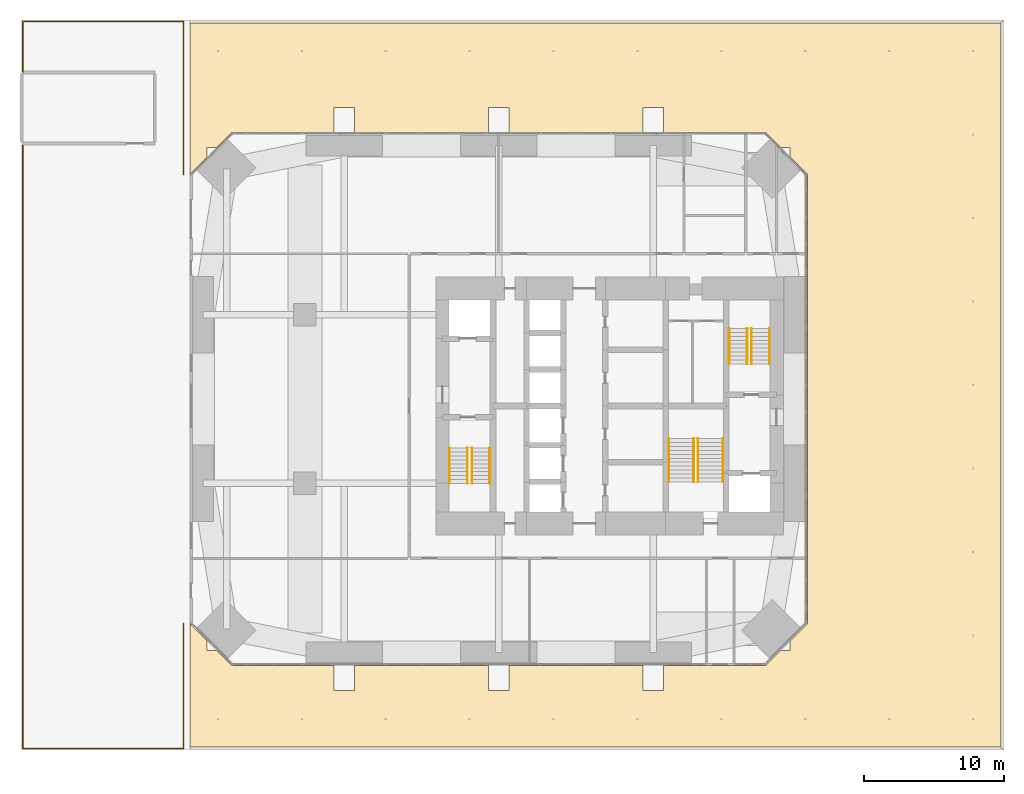
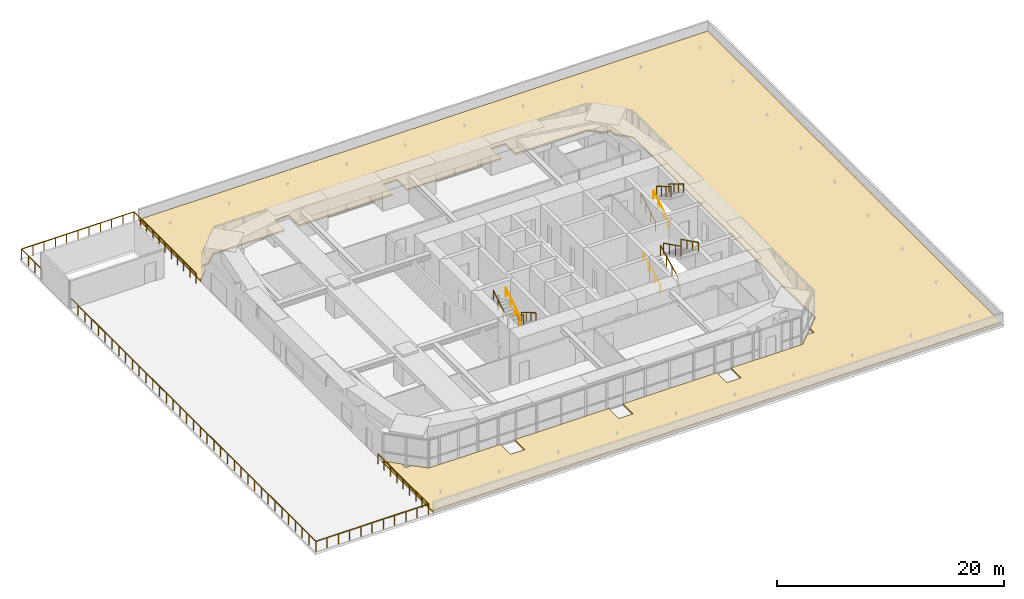
# One storey, part 20 of 20: 14 railings, 1 covering.
"""IFC4 building model written with IfcOpenShell, lengths in metres."""

from ifc_helpers import new_model, si_unit, direction, frame, origin, origin_2d, place, context, subcontext, project, spatial, polyline, rectangle, circle, outline, extrude, material, layer, layer_set, constituent, constituent_set, type_object, element, save


model = new_model("IFC4")

# Units and contexts
model_context = context("Model", 3, precision=1e-05, world=origin(), true_north=direction((0.0, 1.0)))
body_context = subcontext(model_context, "Body", "Model", "MODEL_VIEW")
ifc_project = project(units=[si_unit("LENGTHUNIT", "METRE"), si_unit("AREAUNIT", "SQUARE_METRE"), si_unit("VOLUMEUNIT", "CUBIC_METRE"), si_unit("PLANEANGLEUNIT", "RADIAN"), si_unit("MASSUNIT", "GRAM", prefix="KILO")], contexts=[model_context])

# Site, building, storey
site_placement = place(None, origin())
site = spatial("IfcSite", under=ifc_project, at=site_placement, CompositionType="ELEMENT")
building_placement = place(site_placement, origin())
building = spatial("IfcBuilding", under=site, at=building_placement, Name="Jalousie Tower", CompositionType="ELEMENT")
storey_placement = place(building_placement, frame((0.0, 0.0, 21.0)))
storey = spatial("IfcBuildingStorey", under=building, at=storey_placement, Name="L04", CompositionType="ELEMENT", Elevation=21.0)

# Covering
ifc_material_1 = material(Name="Growing medium on drainage and root-barrier layers", Category="soil")
ifc_layer = layer(ifc_material_1, 0.169921875)
ifc_layer_set = layer_set([ifc_layer], Name="Growing medium on drainage and root-barrier layers")
covering_type = type_object("IfcCoveringType", Name="PLANTED ROOF BUILD-UP 170", PredefinedType="ROOFING", material=ifc_layer_set)
covering_placement = place(storey_placement, origin())
element("IfcCovering", 1, at=covering_placement, inside=storey, type_object=covering_type, Name="Podium planted roof build-up", PredefinedType="ROOFING", context=body_context, shape_type="SweptSolid", body=[
    extrude(outline(polyline([(2.0, 3.0), (3.2314453125, 1.7685546875), (3.2314453125, 1.081298828125), (3.918701171875, 1.081298828125), (5.0, 0.0), (12.27490234375, 0.0), (12.27490234375, -1.77490234375), (13.72509765625, -1.77490234375), (13.72509765625, 0.0), (23.27490234375, 0.0), (23.27490234375, -1.77490234375), (24.72509765625, -1.77490234375), (24.72509765625, 0.0), (34.27490234375, 0.0), (34.27490234375, -1.77490234375), (35.72509765625, -1.77490234375), (35.72509765625, 0.0), (43.0, 0.0), (44.081298828125, 1.081298828125), (44.7685546875, 1.081298828125), (44.7685546875, 1.7685546875), (46.0, 3.0), (46.0, 35.0), (44.7685546875, 36.2314453125), (44.7685546875, 36.918701171875), (44.081298828125, 36.918701171875), (43.0, 38.0), (35.72509765625, 38.0), (35.72509765625, 39.77490234375), (34.27490234375, 39.77490234375), (34.27490234375, 38.0), (24.72509765625, 38.0), (24.72509765625, 39.77490234375), (23.27490234375, 39.77490234375), (23.27490234375, 38.0), (13.72509765625, 38.0), (13.72509765625, 39.77490234375), (12.27490234375, 39.77490234375), (12.27490234375, 38.0), (5.0, 38.0), (3.918701171875, 36.918701171875), (3.2314453125, 36.918701171875), (3.2314453125, 36.2314453125), (2.0, 35.0), (2.0, 45.800048828125), (59.800048828125, 45.800048828125), (59.800048828125, -5.800048828125), (2.0, -5.800048828125), (2.0, 3.0)])), origin(), (0.0, 0.0, 1.0), 0.169921875),
])

# Railings
ifc_material_2 = material(Name="Steel ASTM A500 Grade C", Category="steel")
ifc_constituent_1 = constituent(ifc_material_2, Name="Body")
ifc_material_3 = material(Name="Hot-dip galvanised zinc coating")
ifc_constituent_2 = constituent(ifc_material_3, Name="Finish")
ifc_constituent_set_1 = constituent_set(constituents=[ifc_constituent_1, ifc_constituent_2])
railing_type_1 = type_object("IfcRailingType", Name="STAIR GUARD 1100", PredefinedType="GUARDRAIL", material=ifc_constituent_set_1)
railing_1_placement = place(storey_placement, frame((22.092529296875, 15.49755859375, 0.16748046875)))
element("IfcRailing", 2, at=railing_1_placement, inside=storey, type_object=railing_type_1, Name="Exit stair A guard L04 flight 1", PredefinedType="GUARDRAIL", context=body_context, shape_type="SweptSolid", body=[
    extrude(rectangle(XDim=0.048095703125, YDim=0.048095703125, at=origin_2d()), frame((0.0, 0.0, 1.076171875), z_axis=(0.0, -0.858159760407, 0.513382728203), x_axis=(1.0, 0.0, 0.0)), (0.0, 0.0, 1.0), 2.9365234375),
    extrude(circle(Radius=0.02099609375, at=origin_2d()), origin(), (0.0, 0.0, 1.0), 1.052001953125),
    extrude(circle(Radius=0.02099609375, at=origin_2d()), frame((0.0, -0.840087890625, 0.50244140625)), (0.0, 0.0, 1.0), 1.052001953125),
    extrude(circle(Radius=0.02099609375, at=origin_2d()), frame((0.0, -1.679931640625, 1.005126953125)), (0.0, 0.0, 1.0), 1.052001953125),
    extrude(circle(Radius=0.02099609375, at=origin_2d()), frame((0.0, -2.52001953125, 1.507568359375)), (0.0, 0.0, 1.0), 1.052001953125),
])
for number, where, name in (
    (3, (20.5048828125, 12.9775390625, 1.842529296875), "Exit stair A guard L04 flight 2"),
    (4, (40.43017578125, 21.50244140625, 0.16748046875), "Exit stair B guard L04 flight 1"),
):
    element("IfcRailing", number, at=place(storey_placement, frame(where)), inside=storey, type_object=railing_type_1, Name=name, PredefinedType="GUARDRAIL", context=body_context, shape_type="SweptSolid", body=[
        extrude(rectangle(XDim=0.048095703125, YDim=0.048095703125, at=origin_2d()), frame((0.0, 0.0, 1.076171875), z_axis=(0.0, 0.858159760407, 0.513382728203), x_axis=(-1.0, 0.0, 0.0)), (0.0, 0.0, 1.0), 2.9365234375),
        extrude(circle(Radius=0.02099609375, at=origin_2d()), origin(), (0.0, 0.0, 1.0), 1.052001953125),
        extrude(circle(Radius=0.02099609375, at=origin_2d()), frame((0.0, 0.840087890625, 0.50244140625)), (0.0, 0.0, 1.0), 1.052001953125),
        extrude(circle(Radius=0.02099609375, at=origin_2d()), frame((0.0, 1.679931640625, 1.005126953125)), (0.0, 0.0, 1.0), 1.052001953125),
        extrude(circle(Radius=0.02099609375, at=origin_2d()), frame((0.0, 2.52001953125, 1.507568359375)), (0.0, 0.0, 1.0), 1.052001953125),
    ])
railing_2_placement = place(storey_placement, frame((42.017578125, 24.0224609375, 1.842529296875)))
element("IfcRailing", 5, at=railing_2_placement, inside=storey, type_object=railing_type_1, Name="Exit stair B guard L04 flight 2", PredefinedType="GUARDRAIL", context=body_context, shape_type="SweptSolid", body=[
    extrude(rectangle(XDim=0.048095703125, YDim=0.048095703125, at=origin_2d()), frame((0.0, 0.0, 1.076171875), z_axis=(0.0, -0.858159760407, 0.513382728203), x_axis=(1.0, 0.0, 0.0)), (0.0, 0.0, 1.0), 2.9365234375),
    extrude(circle(Radius=0.02099609375, at=origin_2d()), origin(), (0.0, 0.0, 1.0), 1.052001953125),
    extrude(circle(Radius=0.02099609375, at=origin_2d()), frame((0.0, -0.840087890625, 0.50244140625)), (0.0, 0.0, 1.0), 1.052001953125),
    extrude(circle(Radius=0.02099609375, at=origin_2d()), frame((0.0, -1.679931640625, 1.005126953125)), (0.0, 0.0, 1.0), 1.052001953125),
    extrude(circle(Radius=0.02099609375, at=origin_2d()), frame((0.0, -2.52001953125, 1.507568359375)), (0.0, 0.0, 1.0), 1.052001953125),
])
railing_3_placement = place(storey_placement, frame((37.89501953125, 13.097412109375, 0.1396484375)))
element("IfcRailing", 6, at=railing_3_placement, inside=storey, type_object=railing_type_1, Name="Exit stair C guard L04 flight 1", PredefinedType="GUARDRAIL", context=body_context, shape_type="SweptSolid", body=[
    extrude(rectangle(XDim=0.048095703125, YDim=0.048095703125, at=origin_2d()), frame((0.0, 0.0, 1.076171875), z_axis=(0.0, 0.894965676997, 0.446134998624), x_axis=(-1.0, 0.0, 0.0)), (0.0, 0.0, 1.0), 3.441650390625),
    extrude(circle(Radius=0.02099609375, at=origin_2d()), origin(), (0.0, 0.0, 1.0), 1.052001953125),
    extrude(circle(Radius=0.02099609375, at=origin_2d()), frame((0.0, 1.026611328125, 0.51171875)), (0.0, 0.0, 1.0), 1.052001953125),
    extrude(circle(Radius=0.02099609375, at=origin_2d()), frame((0.0, 2.053466796875, 1.023681640625)), (0.0, 0.0, 1.0), 1.052001953125),
    extrude(circle(Radius=0.02099609375, at=origin_2d()), frame((0.0, 3.080078125, 1.535400390625)), (0.0, 0.0, 1.0), 1.052001953125),
])
railing_4_placement = place(storey_placement, frame((38.205078125, 16.177490234375, 1.814697265625)))
element("IfcRailing", 7, at=railing_4_placement, inside=storey, type_object=railing_type_1, Name="Exit stair C guard L04 flight 2", PredefinedType="GUARDRAIL", context=body_context, shape_type="SweptSolid", body=[
    extrude(rectangle(XDim=0.048095703125, YDim=0.048095703125, at=origin_2d()), frame((0.0, 0.0, 1.076171875), z_axis=(0.0, -0.894965676997, 0.446134998624), x_axis=(1.0, 0.0, 0.0)), (0.0, 0.0, 1.0), 3.441650390625),
    extrude(circle(Radius=0.02099609375, at=origin_2d()), origin(), (0.0, 0.0, 1.0), 1.052001953125),
    extrude(circle(Radius=0.02099609375, at=origin_2d()), frame((0.0, -1.026611328125, 0.51171875)), (0.0, 0.0, 1.0), 1.052001953125),
    extrude(circle(Radius=0.02099609375, at=origin_2d()), frame((0.0, -2.053466796875, 1.023681640625)), (0.0, 0.0, 1.0), 1.052001953125),
    extrude(circle(Radius=0.02099609375, at=origin_2d()), frame((0.0, -3.080078125, 1.535400390625)), (0.0, 0.0, 1.0), 1.052001953125),
])
ifc_material_4 = material(Name="Steel ASTM A500 Grade C", Category="steel")
ifc_constituent_3 = constituent(ifc_material_4, Name="Body")
ifc_material_5 = material(Name="Hot-dip galvanised zinc coating")
ifc_constituent_4 = constituent(ifc_material_5, Name="Finish")
ifc_constituent_set_2 = constituent_set(constituents=[ifc_constituent_3, ifc_constituent_4])
railing_type_2 = type_object("IfcRailingType", Name="STAIR HANDRAIL 900", PredefinedType="HANDRAIL", material=ifc_constituent_set_2)
railing_5_placement = place(storey_placement, frame((23.3701171875, 15.49755859375, 0.16748046875)))
element("IfcRailing", 8, at=railing_5_placement, inside=storey, type_object=railing_type_2, Name="Exit stair A handrail L04 flight 1", PredefinedType="HANDRAIL", context=body_context, shape_type="SweptSolid", body=[
    extrude(circle(Radius=0.02392578125, at=origin_2d()), frame((0.0, 0.0, 0.8759765625), z_axis=(0.0, -0.858159760407, 0.513382728203), x_axis=(1.0, 0.0, 0.0)), (0.0, 0.0, 1.0), 2.9365234375),
    extrude(circle(Radius=0.02099609375, at=origin_2d()), origin(), (0.0, 0.0, 1.0), 0.851806640625),
    extrude(circle(Radius=0.02099609375, at=origin_2d()), frame((0.0, -0.840087890625, 0.50244140625)), (0.0, 0.0, 1.0), 0.851806640625),
    extrude(circle(Radius=0.02099609375, at=origin_2d()), frame((0.0, -1.679931640625, 1.005126953125)), (0.0, 0.0, 1.0), 0.851806640625),
    extrude(circle(Radius=0.02099609375, at=origin_2d()), frame((0.0, -2.52001953125, 1.507568359375)), (0.0, 0.0, 1.0), 0.851806640625),
])
for number, where, name in (
    (9, (21.78271484375, 12.9775390625, 1.842529296875), "Exit stair A handrail L04 flight 2"),
    (10, (41.70751953125, 21.50244140625, 0.16748046875), "Exit stair B handrail L04 flight 1"),
):
    element("IfcRailing", number, at=place(storey_placement, frame(where)), inside=storey, type_object=railing_type_2, Name=name, PredefinedType="HANDRAIL", context=body_context, shape_type="SweptSolid", body=[
        extrude(circle(Radius=0.02392578125, at=origin_2d()), frame((0.0, 0.0, 0.8759765625), z_axis=(0.0, 0.858159760407, 0.513382728203), x_axis=(-1.0, 0.0, 0.0)), (0.0, 0.0, 1.0), 2.9365234375),
        extrude(circle(Radius=0.02099609375, at=origin_2d()), origin(), (0.0, 0.0, 1.0), 0.851806640625),
        extrude(circle(Radius=0.02099609375, at=origin_2d()), frame((0.0, 0.840087890625, 0.50244140625)), (0.0, 0.0, 1.0), 0.851806640625),
        extrude(circle(Radius=0.02099609375, at=origin_2d()), frame((0.0, 1.679931640625, 1.005126953125)), (0.0, 0.0, 1.0), 0.851806640625),
        extrude(circle(Radius=0.02099609375, at=origin_2d()), frame((0.0, 2.52001953125, 1.507568359375)), (0.0, 0.0, 1.0), 0.851806640625),
    ])
railing_6_placement = place(storey_placement, frame((43.294921875, 24.0224609375, 1.842529296875)))
element("IfcRailing", 11, at=railing_6_placement, inside=storey, type_object=railing_type_2, Name="Exit stair B handrail L04 flight 2", PredefinedType="HANDRAIL", context=body_context, shape_type="SweptSolid", body=[
    extrude(circle(Radius=0.02392578125, at=origin_2d()), frame((0.0, 0.0, 0.8759765625), z_axis=(0.0, -0.858159760407, 0.513382728203), x_axis=(1.0, 0.0, 0.0)), (0.0, 0.0, 1.0), 2.9365234375),
    extrude(circle(Radius=0.02099609375, at=origin_2d()), origin(), (0.0, 0.0, 1.0), 0.851806640625),
    extrude(circle(Radius=0.02099609375, at=origin_2d()), frame((0.0, -0.840087890625, 0.50244140625)), (0.0, 0.0, 1.0), 0.851806640625),
    extrude(circle(Radius=0.02099609375, at=origin_2d()), frame((0.0, -1.679931640625, 1.005126953125)), (0.0, 0.0, 1.0), 0.851806640625),
    extrude(circle(Radius=0.02099609375, at=origin_2d()), frame((0.0, -2.52001953125, 1.507568359375)), (0.0, 0.0, 1.0), 0.851806640625),
])
railing_7_placement = place(storey_placement, frame((36.1298828125, 13.097412109375, 0.1396484375)))
element("IfcRailing", 12, at=railing_7_placement, inside=storey, type_object=railing_type_2, Name="Exit stair C handrail L04 flight 1", PredefinedType="HANDRAIL", context=body_context, shape_type="SweptSolid", body=[
    extrude(circle(Radius=0.02392578125, at=origin_2d()), frame((0.0, 0.0, 0.8759765625), z_axis=(0.0, 0.894965676997, 0.446134998624), x_axis=(-1.0, 0.0, 0.0)), (0.0, 0.0, 1.0), 3.441650390625),
    extrude(circle(Radius=0.02099609375, at=origin_2d()), origin(), (0.0, 0.0, 1.0), 0.851806640625),
    extrude(circle(Radius=0.02099609375, at=origin_2d()), frame((0.0, 1.026611328125, 0.51171875)), (0.0, 0.0, 1.0), 0.851806640625),
    extrude(circle(Radius=0.02099609375, at=origin_2d()), frame((0.0, 2.053466796875, 1.023681640625)), (0.0, 0.0, 1.0), 0.851806640625),
    extrude(circle(Radius=0.02099609375, at=origin_2d()), frame((0.0, 3.080078125, 1.535400390625)), (0.0, 0.0, 1.0), 0.851806640625),
])
railing_8_placement = place(storey_placement, frame((39.969970703125, 16.177490234375, 1.814697265625)))
element("IfcRailing", 13, at=railing_8_placement, inside=storey, type_object=railing_type_2, Name="Exit stair C handrail L04 flight 2", PredefinedType="HANDRAIL", context=body_context, shape_type="SweptSolid", body=[
    extrude(circle(Radius=0.02392578125, at=origin_2d()), frame((0.0, 0.0, 0.8759765625), z_axis=(0.0, -0.894965676997, 0.446134998624), x_axis=(1.0, 0.0, 0.0)), (0.0, 0.0, 1.0), 3.441650390625),
    extrude(circle(Radius=0.02099609375, at=origin_2d()), origin(), (0.0, 0.0, 1.0), 0.851806640625),
    extrude(circle(Radius=0.02099609375, at=origin_2d()), frame((0.0, -1.026611328125, 0.51171875)), (0.0, 0.0, 1.0), 0.851806640625),
    extrude(circle(Radius=0.02099609375, at=origin_2d()), frame((0.0, -2.053466796875, 1.023681640625)), (0.0, 0.0, 1.0), 0.851806640625),
    extrude(circle(Radius=0.02099609375, at=origin_2d()), frame((0.0, -3.080078125, 1.535400390625)), (0.0, 0.0, 1.0), 0.851806640625),
])
ifc_material_6 = material(Name="Stainless steel AISI 316", Category="steel")
ifc_constituent_5 = constituent(ifc_material_6, Name="Body")
ifc_material_7 = material(Name="Laminated impact-rated glass", Category="glass")
ifc_constituent_6 = constituent(ifc_material_7, Name="Infill")
ifc_constituent_set_3 = constituent_set(constituents=[ifc_constituent_5, ifc_constituent_6])
railing_type_3 = type_object("IfcRailingType", Name="TERRACE GUARDRAIL 1100", PredefinedType="GUARDRAIL", material=ifc_constituent_set_3)
railing_9_placement = place(storey_placement, frame((1.550048828125, 3.0, 0.0)))
element("IfcRailing", 14, at=railing_9_placement, inside=storey, type_object=railing_type_3, Name="Podium roof terrace guard S", PredefinedType="GUARDRAIL", context=body_context, shape_type="SweptSolid", body=[
    extrude(rectangle(XDim=0.048095703125, YDim=0.048095703125, at=origin_2d()), frame((0.0, 0.0, 1.076171875), z_axis=(0.0, -1.0, 0.0), x_axis=(1.0, 0.0, 0.0)), (0.0, 0.0, 1.0), 8.89990234375),
    extrude(rectangle(XDim=0.048095703125, YDim=0.048095703125, at=origin_2d()), frame((0.0, -8.89990234375, 1.076171875), z_axis=(-1.0, 0.0, 0.0), x_axis=(0.0, -1.0, 0.0)), (0.0, 0.0, 1.0), 11.449951171875),
    extrude(rectangle(XDim=0.048095703125, YDim=0.048095703125, at=origin_2d()), frame((-11.449951171875, -8.89990234375, 1.076171875), z_axis=(0.0, 1.0, 0.0), x_axis=(-1.0, 0.0, 0.0)), (0.0, 0.0, 1.0), 43.0498046875),
    extrude(circle(Radius=0.02099609375, at=origin_2d()), origin(), (0.0, 0.0, 1.0), 1.052001953125),
    extrude(circle(Radius=0.02099609375, at=origin_2d()), frame((0.0, -1.112548828125, 0.0)), (0.0, 0.0, 1.0), 1.052001953125),
    extrude(circle(Radius=0.02099609375, at=origin_2d()), frame((0.0, -2.22509765625, 0.0)), (0.0, 0.0, 1.0), 1.052001953125),
    extrude(circle(Radius=0.02099609375, at=origin_2d()), frame((0.0, -3.33740234375, 0.0)), (0.0, 0.0, 1.0), 1.052001953125),
    extrude(circle(Radius=0.02099609375, at=origin_2d()), frame((0.0, -4.449951171875, 0.0)), (0.0, 0.0, 1.0), 1.052001953125),
    extrude(circle(Radius=0.02099609375, at=origin_2d()), frame((0.0, -5.5625, 0.0)), (0.0, 0.0, 1.0), 1.052001953125),
    extrude(circle(Radius=0.02099609375, at=origin_2d()), frame((0.0, -6.6748046875, 0.0)), (0.0, 0.0, 1.0), 1.052001953125),
    extrude(circle(Radius=0.02099609375, at=origin_2d()), frame((0.0, -7.787353515625, 0.0)), (0.0, 0.0, 1.0), 1.052001953125),
    extrude(circle(Radius=0.02099609375, at=origin_2d()), frame((0.0, -8.89990234375, 0.0)), (0.0, 0.0, 1.0), 1.052001953125),
    extrude(circle(Radius=0.02099609375, at=origin_2d()), frame((-1.14501953125, -8.89990234375, 0.0)), (0.0, 0.0, 1.0), 1.052001953125),
    extrude(circle(Radius=0.02099609375, at=origin_2d()), frame((-2.2900390625, -8.89990234375, 0.0)), (0.0, 0.0, 1.0), 1.052001953125),
    extrude(circle(Radius=0.02099609375, at=origin_2d()), frame((-3.43505859375, -8.89990234375, 0.0)), (0.0, 0.0, 1.0), 1.052001953125),
    extrude(circle(Radius=0.02099609375, at=origin_2d()), frame((-4.580078125, -8.89990234375, 0.0)), (0.0, 0.0, 1.0), 1.052001953125),
    extrude(circle(Radius=0.02099609375, at=origin_2d()), frame((-5.72509765625, -8.89990234375, 0.0)), (0.0, 0.0, 1.0), 1.052001953125),
    extrude(circle(Radius=0.02099609375, at=origin_2d()), frame((-6.869873046875, -8.89990234375, 0.0)), (0.0, 0.0, 1.0), 1.052001953125),
    extrude(circle(Radius=0.02099609375, at=origin_2d()), frame((-8.014892578125, -8.89990234375, 0.0)), (0.0, 0.0, 1.0), 1.052001953125),
    extrude(circle(Radius=0.02099609375, at=origin_2d()), frame((-9.159912109375, -8.89990234375, 0.0)), (0.0, 0.0, 1.0), 1.052001953125),
    extrude(circle(Radius=0.02099609375, at=origin_2d()), frame((-10.304931640625, -8.89990234375, 0.0)), (0.0, 0.0, 1.0), 1.052001953125),
    extrude(circle(Radius=0.02099609375, at=origin_2d()), frame((-11.449951171875, -8.89990234375, 0.0)), (0.0, 0.0, 1.0), 1.052001953125),
    extrude(circle(Radius=0.02099609375, at=origin_2d()), frame((-11.449951171875, -7.7041015625, 0.0)), (0.0, 0.0, 1.0), 1.052001953125),
    extrude(circle(Radius=0.02099609375, at=origin_2d()), frame((-11.449951171875, -6.50830078125, 0.0)), (0.0, 0.0, 1.0), 1.052001953125),
    extrude(circle(Radius=0.02099609375, at=origin_2d()), frame((-11.449951171875, -5.3125, 0.0)), (0.0, 0.0, 1.0), 1.052001953125),
    extrude(circle(Radius=0.02099609375, at=origin_2d()), frame((-11.449951171875, -4.11669921875, 0.0)), (0.0, 0.0, 1.0), 1.052001953125),
    extrude(circle(Radius=0.02099609375, at=origin_2d()), frame((-11.449951171875, -2.920654296875, 0.0)), (0.0, 0.0, 1.0), 1.052001953125),
    extrude(circle(Radius=0.02099609375, at=origin_2d()), frame((-11.449951171875, -1.724853515625, 0.0)), (0.0, 0.0, 1.0), 1.052001953125),
    extrude(circle(Radius=0.02099609375, at=origin_2d()), frame((-11.449951171875, -0.529052734375, 0.0)), (0.0, 0.0, 1.0), 1.052001953125),
    extrude(circle(Radius=0.02099609375, at=origin_2d()), frame((-11.449951171875, 0.666748046875, 0.0)), (0.0, 0.0, 1.0), 1.052001953125),
    extrude(circle(Radius=0.02099609375, at=origin_2d()), frame((-11.449951171875, 1.862548828125, 0.0)), (0.0, 0.0, 1.0), 1.052001953125),
    extrude(circle(Radius=0.02099609375, at=origin_2d()), frame((-11.449951171875, 3.058349609375, 0.0)), (0.0, 0.0, 1.0), 1.052001953125),
    extrude(circle(Radius=0.02099609375, at=origin_2d()), frame((-11.449951171875, 4.254150390625, 0.0)), (0.0, 0.0, 1.0), 1.052001953125),
    extrude(circle(Radius=0.02099609375, at=origin_2d()), frame((-11.449951171875, 5.449951171875, 0.0)), (0.0, 0.0, 1.0), 1.052001953125),
    extrude(circle(Radius=0.02099609375, at=origin_2d()), frame((-11.449951171875, 6.645751953125, 0.0)), (0.0, 0.0, 1.0), 1.052001953125),
    extrude(circle(Radius=0.02099609375, at=origin_2d()), frame((-11.449951171875, 7.841796875, 0.0)), (0.0, 0.0, 1.0), 1.052001953125),
    extrude(circle(Radius=0.02099609375, at=origin_2d()), frame((-11.449951171875, 9.03759765625, 0.0)), (0.0, 0.0, 1.0), 1.052001953125),
    extrude(circle(Radius=0.02099609375, at=origin_2d()), frame((-11.449951171875, 10.2333984375, 0.0)), (0.0, 0.0, 1.0), 1.052001953125),
    extrude(circle(Radius=0.02099609375, at=origin_2d()), frame((-11.449951171875, 11.42919921875, 0.0)), (0.0, 0.0, 1.0), 1.052001953125),
    extrude(circle(Radius=0.02099609375, at=origin_2d()), frame((-11.449951171875, 12.625, 0.0)), (0.0, 0.0, 1.0), 1.052001953125),
    extrude(circle(Radius=0.02099609375, at=origin_2d()), frame((-11.449951171875, 13.82080078125, 0.0)), (0.0, 0.0, 1.0), 1.052001953125),
    extrude(circle(Radius=0.02099609375, at=origin_2d()), frame((-11.449951171875, 15.0166015625, 0.0)), (0.0, 0.0, 1.0), 1.052001953125),
    extrude(circle(Radius=0.02099609375, at=origin_2d()), frame((-11.449951171875, 16.21240234375, 0.0)), (0.0, 0.0, 1.0), 1.052001953125),
    extrude(circle(Radius=0.02099609375, at=origin_2d()), frame((-11.449951171875, 17.408203125, 0.0)), (0.0, 0.0, 1.0), 1.052001953125),
    extrude(circle(Radius=0.02099609375, at=origin_2d()), frame((-11.449951171875, 18.604248046875, 0.0)), (0.0, 0.0, 1.0), 1.052001953125),
    extrude(circle(Radius=0.02099609375, at=origin_2d()), frame((-11.449951171875, 19.800048828125, 0.0)), (0.0, 0.0, 1.0), 1.052001953125),
    extrude(circle(Radius=0.02099609375, at=origin_2d()), frame((-11.449951171875, 20.995849609375, 0.0)), (0.0, 0.0, 1.0), 1.052001953125),
    extrude(circle(Radius=0.02099609375, at=origin_2d()), frame((-11.449951171875, 22.191650390625, 0.0)), (0.0, 0.0, 1.0), 1.052001953125),
    extrude(circle(Radius=0.02099609375, at=origin_2d()), frame((-11.449951171875, 23.387451171875, 0.0)), (0.0, 0.0, 1.0), 1.052001953125),
    extrude(circle(Radius=0.02099609375, at=origin_2d()), frame((-11.449951171875, 24.583251953125, 0.0)), (0.0, 0.0, 1.0), 1.052001953125),
    extrude(circle(Radius=0.02099609375, at=origin_2d()), frame((-11.449951171875, 25.779052734375, 0.0)), (0.0, 0.0, 1.0), 1.052001953125),
    extrude(circle(Radius=0.02099609375, at=origin_2d()), frame((-11.449951171875, 26.974853515625, 0.0)), (0.0, 0.0, 1.0), 1.052001953125),
    extrude(circle(Radius=0.02099609375, at=origin_2d()), frame((-11.449951171875, 28.170654296875, 0.0)), (0.0, 0.0, 1.0), 1.052001953125),
    extrude(circle(Radius=0.02099609375, at=origin_2d()), frame((-11.449951171875, 29.36669921875, 0.0)), (0.0, 0.0, 1.0), 1.052001953125),
    extrude(circle(Radius=0.02099609375, at=origin_2d()), frame((-11.449951171875, 30.5625, 0.0)), (0.0, 0.0, 1.0), 1.052001953125),
    extrude(circle(Radius=0.02099609375, at=origin_2d()), frame((-11.449951171875, 31.75830078125, 0.0)), (0.0, 0.0, 1.0), 1.052001953125),
    extrude(circle(Radius=0.02099609375, at=origin_2d()), frame((-11.449951171875, 32.9541015625, 0.0)), (0.0, 0.0, 1.0), 1.052001953125),
    extrude(circle(Radius=0.02099609375, at=origin_2d()), frame((-11.449951171875, 34.14990234375, 0.0)), (0.0, 0.0, 1.0), 1.052001953125),
])
railing_10_placement = place(storey_placement, frame((-9.89990234375, 42.300048828125, 0.0)))
element("IfcRailing", 15, at=railing_10_placement, inside=storey, type_object=railing_type_3, Name="Podium roof terrace guard N", PredefinedType="GUARDRAIL", context=body_context, shape_type="SweptSolid", body=[
    extrude(rectangle(XDim=0.048095703125, YDim=0.048095703125, at=origin_2d()), frame((0.0, 0.0, 1.076171875), z_axis=(0.0, 1.0, 0.0), x_axis=(-1.0, 0.0, 0.0)), (0.0, 0.0, 1.0), 3.599853515625),
    extrude(rectangle(XDim=0.048095703125, YDim=0.048095703125, at=origin_2d()), frame((0.0, 3.599853515625, 1.076171875), z_axis=(1.0, 0.0, 0.0), x_axis=(0.0, 1.0, 0.0)), (0.0, 0.0, 1.0), 11.449951171875),
    extrude(rectangle(XDim=0.048095703125, YDim=0.048095703125, at=origin_2d()), frame((11.449951171875, 3.599853515625, 1.076171875), z_axis=(0.0, -1.0, 0.0), x_axis=(1.0, 0.0, 0.0)), (0.0, 0.0, 1.0), 10.89990234375),
    extrude(circle(Radius=0.02099609375, at=origin_2d()), origin(), (0.0, 0.0, 1.0), 1.052001953125),
    extrude(circle(Radius=0.02099609375, at=origin_2d()), frame((0.0, 1.199951171875, 0.0)), (0.0, 0.0, 1.0), 1.052001953125),
    extrude(circle(Radius=0.02099609375, at=origin_2d()), frame((0.0, 2.39990234375, 0.0)), (0.0, 0.0, 1.0), 1.052001953125),
    extrude(circle(Radius=0.02099609375, at=origin_2d()), frame((0.0, 3.599853515625, 0.0)), (0.0, 0.0, 1.0), 1.052001953125),
    extrude(circle(Radius=0.02099609375, at=origin_2d()), frame((1.14501953125, 3.599853515625, 0.0)), (0.0, 0.0, 1.0), 1.052001953125),
    extrude(circle(Radius=0.02099609375, at=origin_2d()), frame((2.2900390625, 3.599853515625, 0.0)), (0.0, 0.0, 1.0), 1.052001953125),
    extrude(circle(Radius=0.02099609375, at=origin_2d()), frame((3.43505859375, 3.599853515625, 0.0)), (0.0, 0.0, 1.0), 1.052001953125),
    extrude(circle(Radius=0.02099609375, at=origin_2d()), frame((4.580078125, 3.599853515625, 0.0)), (0.0, 0.0, 1.0), 1.052001953125),
    extrude(circle(Radius=0.02099609375, at=origin_2d()), frame((5.72509765625, 3.599853515625, 0.0)), (0.0, 0.0, 1.0), 1.052001953125),
    extrude(circle(Radius=0.02099609375, at=origin_2d()), frame((6.869873046875, 3.599853515625, 0.0)), (0.0, 0.0, 1.0), 1.052001953125),
    extrude(circle(Radius=0.02099609375, at=origin_2d()), frame((8.014892578125, 3.599853515625, 0.0)), (0.0, 0.0, 1.0), 1.052001953125),
    extrude(circle(Radius=0.02099609375, at=origin_2d()), frame((9.159912109375, 3.599853515625, 0.0)), (0.0, 0.0, 1.0), 1.052001953125),
    extrude(circle(Radius=0.02099609375, at=origin_2d()), frame((10.304931640625, 3.599853515625, 0.0)), (0.0, 0.0, 1.0), 1.052001953125),
    extrude(circle(Radius=0.02099609375, at=origin_2d()), frame((11.449951171875, 3.599853515625, 0.0)), (0.0, 0.0, 1.0), 1.052001953125),
    extrude(circle(Radius=0.02099609375, at=origin_2d()), frame((11.449951171875, 2.509765625, 0.0)), (0.0, 0.0, 1.0), 1.052001953125),
    extrude(circle(Radius=0.02099609375, at=origin_2d()), frame((11.449951171875, 1.419921875, 0.0)), (0.0, 0.0, 1.0), 1.052001953125),
    extrude(circle(Radius=0.02099609375, at=origin_2d()), frame((11.449951171875, 0.329833984375, 0.0)), (0.0, 0.0, 1.0), 1.052001953125),
    extrude(circle(Radius=0.02099609375, at=origin_2d()), frame((11.449951171875, -0.760009765625, 0.0)), (0.0, 0.0, 1.0), 1.052001953125),
    extrude(circle(Radius=0.02099609375, at=origin_2d()), frame((11.449951171875, -1.85009765625, 0.0)), (0.0, 0.0, 1.0), 1.052001953125),
    extrude(circle(Radius=0.02099609375, at=origin_2d()), frame((11.449951171875, -2.940185546875, 0.0)), (0.0, 0.0, 1.0), 1.052001953125),
    extrude(circle(Radius=0.02099609375, at=origin_2d()), frame((11.449951171875, -4.030029296875, 0.0)), (0.0, 0.0, 1.0), 1.052001953125),
    extrude(circle(Radius=0.02099609375, at=origin_2d()), frame((11.449951171875, -5.1201171875, 0.0)), (0.0, 0.0, 1.0), 1.052001953125),
    extrude(circle(Radius=0.02099609375, at=origin_2d()), frame((11.449951171875, -6.2099609375, 0.0)), (0.0, 0.0, 1.0), 1.052001953125),
    extrude(circle(Radius=0.02099609375, at=origin_2d()), frame((11.449951171875, -7.300048828125, 0.0)), (0.0, 0.0, 1.0), 1.052001953125),
])

save(model, "model.ifc")
